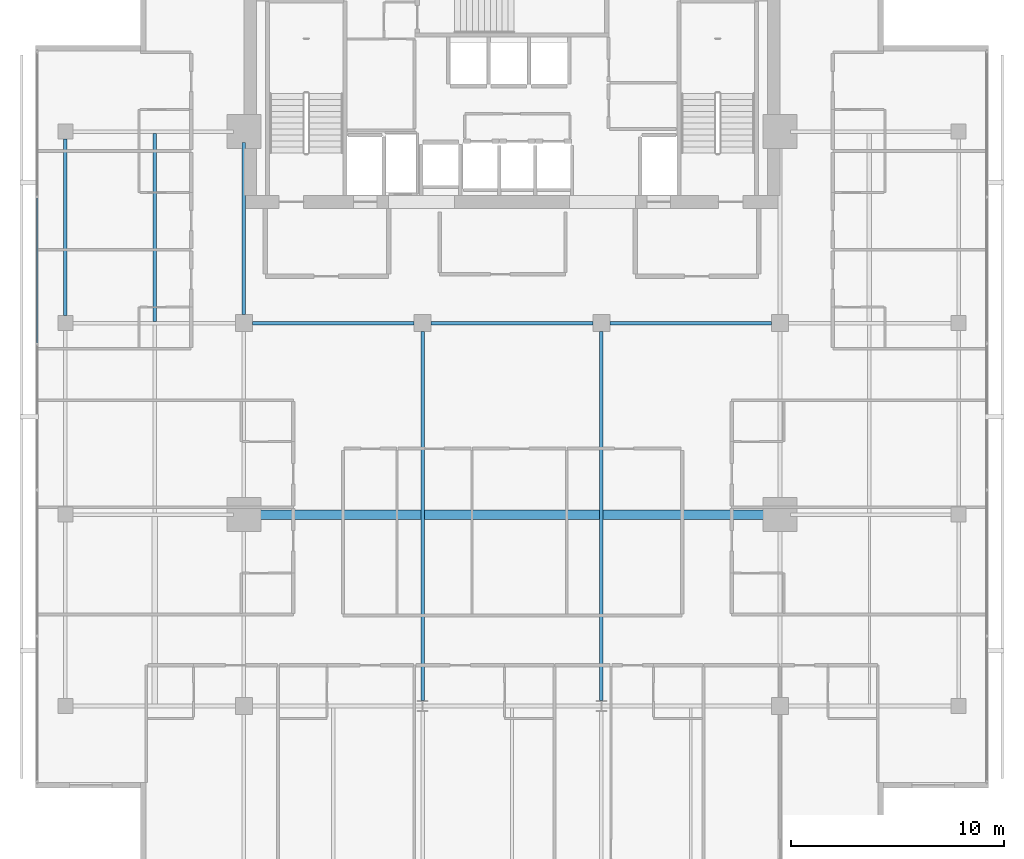
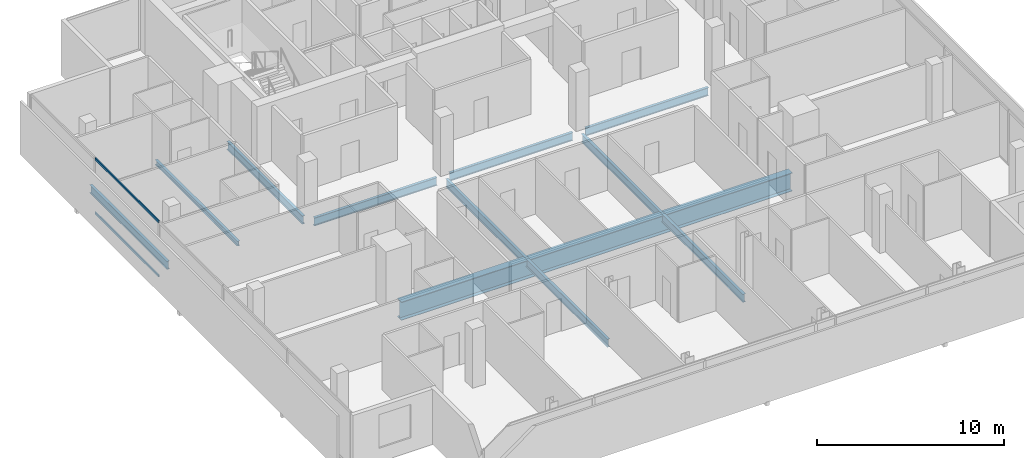
# One storey, part 9 of 26: 9 beams, 2 members, 1 element without a shape of its own.
"""IFC4 building model written with IfcOpenShell, lengths in metres."""

from ifc_helpers import new_model, si_unit, direction, frame, origin, origin_2d, place, context, subcontext, project, spatial, hollow_rectangle, i_section, extrude, material, layer, layer_set, material_profile, profile_set, type_object, element, aggregate, save


model = new_model("IFC4")

# Units and contexts
model_context = context("Model", 3, precision=1e-05, world=origin(), true_north=direction((0.0, 1.0)))
body_context = subcontext(model_context, "Body", "Model", "MODEL_VIEW")
ifc_project = project(units=[si_unit("LENGTHUNIT", "METRE"), si_unit("AREAUNIT", "SQUARE_METRE"), si_unit("VOLUMEUNIT", "CUBIC_METRE"), si_unit("PLANEANGLEUNIT", "RADIAN"), si_unit("MASSUNIT", "GRAM", prefix="KILO")], contexts=[model_context])

# Site, building, storey
site_placement = place(None, origin())
site = spatial("IfcSite", under=ifc_project, at=site_placement, CompositionType="ELEMENT")
building_placement = place(site_placement, origin())
building = spatial("IfcBuilding", under=site, at=building_placement, Name="Maruvema Waterfront Hotel and Observation Tower", CompositionType="ELEMENT")
storey_placement = place(building_placement, frame((0.0, 0.0, 293.300048828125)))
storey = spatial("IfcBuildingStorey", under=building, at=storey_placement, Name="L72", CompositionType="ELEMENT", Elevation=293.300048828125)

# Curtain wall, members
ifc_material_1 = material(Name="Anodised bronze aluminium and solar-control low-E IGU", Category="aluminium")
ifc_layer = layer(ifc_material_1, 0.159912109375, Name="Zone 3 Champagne Inner Thermal Curtain Wall System CW-04")
ifc_layer_set = layer_set([ifc_layer], Name="Anodised bronze aluminium and solar-control low-E IGU")
curtain_wall_type = type_object("IfcCurtainWallType", Name="Zone 3 Champagne Inner Thermal Curtain Wall System CW-04", PredefinedType="USERDEFINED", material=ifc_layer_set)
curtain_wall_placement = place(storey_placement, origin())
curtain_wall = element("IfcCurtainWall", 1, at=curtain_wall_placement, inside=storey, type_object=curtain_wall_type, Name="L72 Curtain Wall CW-L72-W", ObjectType="UNITISED CURTAIN WALL", PredefinedType="USERDEFINED")
ifc_material_2 = material(Name="Anodised architectural bronze aluminium", Category="aluminium")
ifc_material_profile_1 = material_profile(ifc_material_2, hollow_rectangle(XDim=0.070068359375, YDim=0.14990234375, WallThickness=0.00390625, at=origin_2d()), Name="ALU-T70x150")
ifc_profile_set_1 = profile_set([ifc_material_profile_1], Name="Anodised architectural bronze aluminium")
member_type = type_object("IfcMemberType", Name="Curtain Wall Horizontal Transom ALU-T70x150", PredefinedType="USERDEFINED", material=ifc_profile_set_1)
member_1_placement = place(storey_placement, frame((15.47998046875, 41.889892578125, 0.030029296875), z_axis=(0.0, -1.0, 0.0), x_axis=(1.0, 0.0, 0.0)))
member_1 = element("IfcMember", 2, at=member_1_placement, type_object=member_type, Name="CW-04 transom 2.1", ObjectType="TRANSOM", PredefinedType="USERDEFINED", context=body_context, shape_type="SweptSolid", body=[
    extrude(hollow_rectangle(XDim=0.070068359375, YDim=0.14990234375, WallThickness=0.00390625, at=origin_2d()), origin(), (0.0, 0.0, 1.0), 6.81982421875),
])
member_2_placement = place(storey_placement, frame((15.47998046875, 41.889892578125, 3.579833984375), z_axis=(0.0, -1.0, 0.0), x_axis=(1.0, 0.0, 0.0)))
member_2 = element("IfcMember", 3, at=member_2_placement, type_object=member_type, Name="CW-04 transom 2.2", ObjectType="TRANSOM", PredefinedType="USERDEFINED", context=body_context, shape_type="SweptSolid", body=[
    extrude(hollow_rectangle(XDim=0.070068359375, YDim=0.14990234375, WallThickness=0.00390625, at=origin_2d()), origin(), (0.0, 0.0, 1.0), 6.81982421875),
])
aggregate(curtain_wall, [member_1, member_2])

# Beams
ifc_material_3 = material(Name="Steel ASTM A572 Grade 50", Category="steel")
ifc_material_profile_2 = material_profile(ifc_material_3, i_section(OverallWidth=0.166015625, OverallDepth=0.529052734375, WebThickness=0.009765625, FlangeThickness=0.013671875, FilletRadius=0.014892578125, at=origin_2d()), Name="W530x74.0")
ifc_profile_set_2 = profile_set([ifc_material_profile_2], Name="Steel ASTM A572 Grade 50")
beam_type_1 = type_object("IfcBeamType", Name="Primary Floor Girder W530x74.0", PredefinedType="BEAM", material=ifc_profile_set_2)
beam_1_placement = place(storey_placement, frame((25.60009765625, 36.0, -0.504638671875), z_axis=(1.0, 0.0, 0.0), x_axis=(0.0, 1.0, 0.0)))
element("IfcBeam", 4, at=beam_1_placement, inside=storey, type_object=beam_type_1, Name="L72 Floor Girder EW-13", PredefinedType="BEAM", context=body_context, shape_type="SweptSolid", body=[
    extrude(i_section(OverallWidth=0.166015625, OverallDepth=0.529052734375, WebThickness=0.009765625, FlangeThickness=0.013671875, FilletRadius=0.014892578125, at=origin_2d()), origin(), (0.0, 0.0, 1.0), 7.599853515625),
])
for number, where, z_axis, x_axis, name in (
    (5, (34.0, 36.0, -0.504638671875), (1.0, 0.0, 0.0), (0.0, 1.0, 0.0), "L72 Floor Girder EW-14"),
    (6, (42.39990234375, 36.0, -0.504638671875), (1.0, 0.0, 0.0), (0.0, 1.0, 0.0), "L72 Floor Girder EW-15"),
):
    element("IfcBeam", number, at=place(storey_placement, frame(where, z_axis=z_axis, x_axis=x_axis)), inside=storey, type_object=beam_type_1, Name=name, PredefinedType="BEAM", context=body_context, shape_type="SweptSolid", body=[
        extrude(i_section(OverallWidth=0.166015625, OverallDepth=0.529052734375, WebThickness=0.009765625, FlangeThickness=0.013671875, FilletRadius=0.014892578125, at=origin_2d()), origin(), (0.0, 0.0, 1.0), 7.60009765625),
    ])
beam_2_placement = place(storey_placement, frame((16.800048828125, 36.35009765625, -0.504638671875), z_axis=(0.0, 1.0, 0.0), x_axis=(-1.0, 0.0, 0.0)))
element("IfcBeam", 7, at=beam_2_placement, inside=storey, type_object=beam_type_1, Name="L72 Floor Girder NS-03", PredefinedType="BEAM", context=body_context, shape_type="SweptSolid", body=[
    extrude(i_section(OverallWidth=0.166015625, OverallDepth=0.529052734375, WebThickness=0.009765625, FlangeThickness=0.013671875, FilletRadius=0.014892578125, at=origin_2d()), origin(), (0.0, 0.0, 1.0), 8.2998046875),
])
beam_3_placement = place(storey_placement, frame((25.199951171875, 36.39990234375, -0.504638671875), z_axis=(0.0, 1.0, 0.0), x_axis=(-1.0, 0.0, 0.0)))
element("IfcBeam", 8, at=beam_3_placement, inside=storey, type_object=beam_type_1, Name="L72 Floor Girder NS-07", PredefinedType="BEAM", context=body_context, shape_type="SweptSolid", body=[
    extrude(i_section(OverallWidth=0.166015625, OverallDepth=0.529052734375, WebThickness=0.009765625, FlangeThickness=0.013671875, FilletRadius=0.014892578125, at=origin_2d()), origin(), (0.0, 0.0, 1.0), 8.10009765625),
])
for number, where, z_axis, x_axis, name in (
    (9, (33.60009765625, 18.25, -0.504638671875), (0.0, 1.0, 0.0), (-1.0, 0.0, 0.0), "L72 Floor Girder NS-09"),
    (10, (42.0, 18.25, -0.504638671875), (0.0, 1.0, 0.0), (-1.0, 0.0, 0.0), "L72 Floor Girder NS-11"),
):
    element("IfcBeam", number, at=place(storey_placement, frame(where, z_axis=z_axis, x_axis=x_axis)), inside=storey, type_object=beam_type_1, Name=name, PredefinedType="BEAM", context=body_context, shape_type="SweptSolid", body=[
        extrude(i_section(OverallWidth=0.166015625, OverallDepth=0.529052734375, WebThickness=0.009765625, FlangeThickness=0.013671875, FilletRadius=0.014892578125, at=origin_2d()), origin(), (0.0, 0.0, 1.0), 17.35009765625),
    ])
ifc_material_4 = material(Name="Steel ASTM A572 Grade 50", Category="steel")
ifc_material_profile_3 = material_profile(ifc_material_4, i_section(OverallWidth=0.1650390625, OverallDepth=0.31005859375, WebThickness=0.005859375, FlangeThickness=0.009765625, FilletRadius=0.012939453125, at=origin_2d()), Name="W310x38.7")
ifc_profile_set_3 = profile_set([ifc_material_profile_3], Name="Steel ASTM A572 Grade 50")
beam_type_2 = type_object("IfcBeamType", Name="Secondary Floor Joist W310x38.7", PredefinedType="JOIST", material=ifc_profile_set_3)
beam_4_placement = place(storey_placement, frame((21.0, 36.0830078125, -0.39501953125), z_axis=(0.0, 1.0, 0.0), x_axis=(-1.0, 0.0, 0.0)))
element("IfcBeam", 11, at=beam_4_placement, inside=storey, type_object=beam_type_2, Name="L72 Secondary Floor Joist JS-03", PredefinedType="JOIST", context=body_context, shape_type="SweptSolid", body=[
    extrude(i_section(OverallWidth=0.1650390625, OverallDepth=0.31005859375, WebThickness=0.005859375, FlangeThickness=0.009765625, FilletRadius=0.012939453125, at=origin_2d()), origin(), (0.0, 0.0, 1.0), 8.833984375),
])
ifc_material_5 = material(Name="Steel ABNT NBR 7007 AR 415 (ASTM A572 Grade 50)", Category="steel")
ifc_material_profile_4 = material_profile(ifc_material_5, i_section(OverallWidth=0.449951171875, OverallDepth=1.199951171875, WebThickness=0.01904296875, FlangeThickness=0.031982421875, at=origin_2d()), Name="VS1200x366")
ifc_profile_set_4 = profile_set([ifc_material_profile_4], Name="Steel ABNT NBR 7007 AR 415 (ASTM A572 Grade 50)")
beam_type_3 = type_object("IfcBeamType", Name="Upper Setback Transfer Girder VS1200x366", PredefinedType="USERDEFINED", material=ifc_profile_set_4)
beam_5_placement = place(storey_placement, frame((25.699951171875, 27.0, -0.840087890625), z_axis=(1.0, 0.0, 0.0), x_axis=(0.0, 1.0, 0.0)))
element("IfcBeam", 12, at=beam_5_placement, inside=storey, type_object=beam_type_3, Name="L72 Floor Girder EW-10", ObjectType="TRANSFER GIRDER", PredefinedType="USERDEFINED", context=body_context, shape_type="SweptSolid", body=[
    extrude(i_section(OverallWidth=0.449951171875, OverallDepth=1.199951171875, WebThickness=0.01904296875, FlangeThickness=0.031982421875, at=origin_2d()), origin(), (0.0, 0.0, 1.0), 24.199951171875),
])

save(model, "model.ifc")
